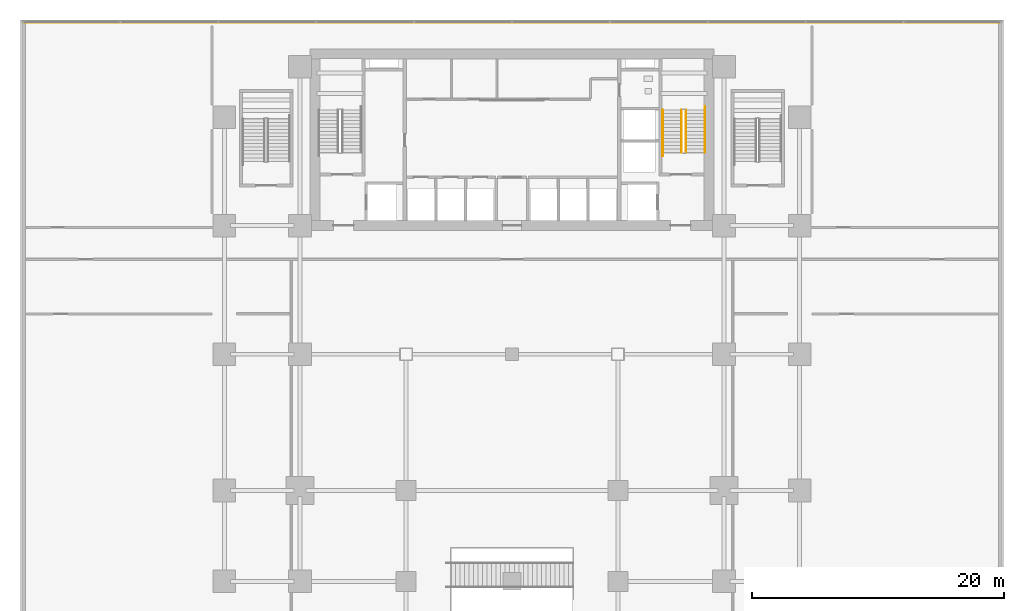
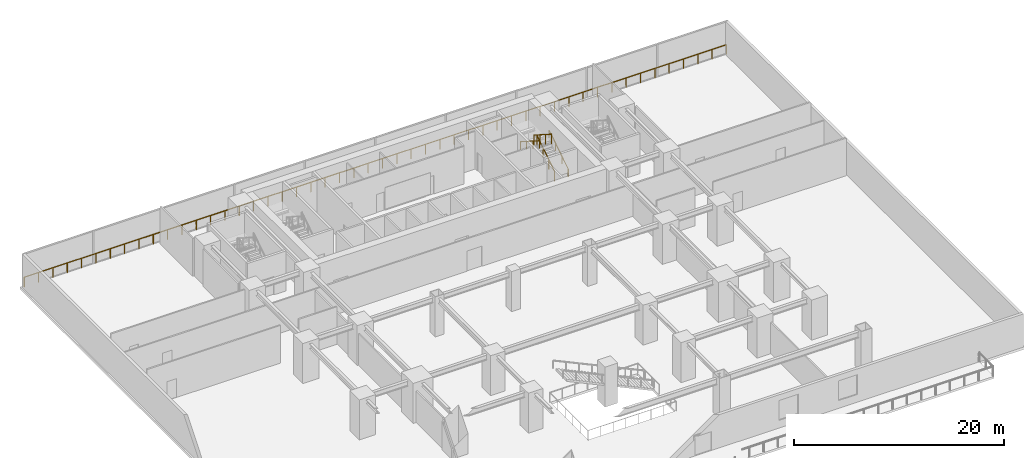
# One storey, part 15 of 17: 5 railings.
"""IFC4 building model written with IfcOpenShell, lengths in metres."""

import ifcopenshell
import ifcopenshell.guid

model = None  # the IFC model being written
_history = None  # IfcOwnerHistory: only IFC2X3 demands one
_inside = {}  # id of a spatial element -> (the spatial element, [elements in it])
_under = {}  # id of a project, library or spatial element -> (it, [spatial elements below it])
_declared = {}  # id of a project -> (the project, [libraries it declares])
_typed = {}  # id of a type object -> (the type object, [elements of that type])
_made_of = {}  # id of a material, layer set ... -> (it, [elements and type objects made of it])


def new_model(schema):
    """Start an empty IFC model of exactly this schema.

    Asked for "IFC4X3", IfcOpenShell would pick the latest addendum, in which some entities
    have other attributes; the version numbers below select the first issue.
    IFC2X3 requires an IfcOwnerHistory on every rooted entity: one is made here for all.
    """
    global model, _history
    if schema == "IFC4X3":
        model = ifcopenshell.file(schema_version=(4, 3, 0, 0))
    else:
        model = ifcopenshell.file(schema=schema)
    _inside.clear()
    _under.clear()
    _declared.clear()
    _typed.clear()
    _made_of.clear()
    _history = None
    if model.schema == "IFC2X3":
        org = make("IfcOrganization", Name="unknown")
        user = make(
            "IfcPersonAndOrganization",
            ThePerson=make("IfcPerson", FamilyName="unknown"),
            TheOrganization=org,
        )
        app = make(
            "IfcApplication",
            ApplicationDeveloper=org,
            Version="unknown",
            ApplicationFullName="unknown",
            ApplicationIdentifier="unknown",
        )
        _history = make(
            "IfcOwnerHistory",
            OwningUser=user,
            OwningApplication=app,
            ChangeAction="ADDED",
            CreationDate=0,
        )
    return model


def make(cls, **values):
    """One entity of the class cls with the attributes given. An attribute that is None is left unset."""
    return model.create_entity(
        cls, **{name: value for name, value in values.items() if value is not None}
    )


def rooted(cls, **values):
    """An entity with a GlobalId (a new one), such as an element, a storey or a relation."""
    return make(cls, GlobalId=ifcopenshell.guid.new(), OwnerHistory=_history, **values)


def si_unit(unit_type, name, prefix=None):
    """IfcSIUnit, for example si_unit("LENGTHUNIT", "METRE", prefix="MILLI")."""
    return make("IfcSIUnit", UnitType=unit_type, Prefix=prefix, Name=name)


def assignment(units):
    """IfcUnitAssignment: the units of a project."""
    return None if units is None else make("IfcUnitAssignment", Units=units)


def point(xyz):
    """IfcCartesianPoint."""
    return None if xyz is None else make("IfcCartesianPoint", Coordinates=xyz)


def direction(xyz):
    """IfcDirection."""
    return None if xyz is None else make("IfcDirection", DirectionRatios=xyz)


def frame(location, z_axis=None, x_axis=None):
    """IfcAxis2Placement3D, a coordinate frame: its origin and axes. An axis left out is left unset."""
    return make(
        "IfcAxis2Placement3D",
        Location=point(location),
        Axis=direction(z_axis),
        RefDirection=direction(x_axis),
    )


def frame_2d(location, x_axis=None):
    """IfcAxis2Placement2D, a coordinate frame in the plane: its origin and x axis."""
    return make(
        "IfcAxis2Placement2D", Location=point(location), RefDirection=direction(x_axis)
    )


def origin():
    """The frame at (0, 0, 0) with its axes left unset."""
    return frame((0.0, 0.0, 0.0))


def origin_2d():
    """The frame at (0, 0) in the plane with its x axis left unset."""
    return frame_2d((0.0, 0.0))


def place(relative_to, where):
    """IfcLocalPlacement: puts the frame where relative to a parent placement (None: the world)."""
    return make(
        "IfcLocalPlacement", PlacementRelTo=relative_to, RelativePlacement=where
    )


def context(
    kind, dimensions, precision=None, world=None, true_north=None, identifier=None
):
    """IfcGeometricRepresentationContext, for example the 3D "Model" context."""
    return make(
        "IfcGeometricRepresentationContext",
        ContextIdentifier=identifier,
        ContextType=kind,
        CoordinateSpaceDimension=dimensions,
        Precision=precision,
        WorldCoordinateSystem=world,
        TrueNorth=true_north,
    )


def subcontext(parent, identifier, kind, view, scale=None):
    """IfcGeometricRepresentationSubContext, for example "Body" below "Model"."""
    return make(
        "IfcGeometricRepresentationSubContext",
        ContextIdentifier=identifier,
        ContextType=kind,
        ParentContext=parent,
        TargetScale=scale,
        TargetView=view,
    )


def project(units=None, contexts=None):
    """IfcProject with its units and contexts."""
    return rooted(
        "IfcProject",
        Name="project",
        RepresentationContexts=contexts,
        UnitsInContext=assignment(units),
    )


def spatial(cls, under=None, at=None, **own):
    """A site, building, storey or space (cls), placed at a placement, below another one or the project."""
    s = rooted(cls, ObjectPlacement=at, **own)
    if under is not None:
        _under.setdefault(under.id(), (under, []))[1].append(s)
    return s


def profile(cls, at=None, kind="AREA", **sizes):
    """A parametric profile (cls). Its sizes go by their IFC names, for example OverallWidth=200.0."""
    return make(cls, ProfileType=kind, Position=at, **sizes)


def rectangle(**sizes):
    """IfcRectangleProfileDef."""
    return profile("IfcRectangleProfileDef", **sizes)


def extrude(swept, where, along, depth):
    """IfcExtrudedAreaSolid: the profile swept, set in the frame where, extruded along a direction by depth."""
    return make(
        "IfcExtrudedAreaSolid",
        SweptArea=swept,
        Position=where,
        ExtrudedDirection=direction(along),
        Depth=depth,
    )


def shape(context_of_items, identifier, shape_type, items):
    """IfcShapeRepresentation: the items that make up one representation, for example the "Body"."""
    return make(
        "IfcShapeRepresentation",
        ContextOfItems=context_of_items,
        RepresentationIdentifier=identifier,
        RepresentationType=shape_type,
        Items=items,
    )


def material(Name=None, Category=None):
    """IfcMaterial."""
    return make("IfcMaterial", Name=Name, Category=Category)


def made_of(thing, what):
    """Note that an element or type object is made of a material, layer set ...; save() writes the relation."""
    if what is not None:
        _made_of.setdefault(what.id(), (what, []))[1].append(thing)
    return thing


def type_object(cls, material=None, **own):
    """A type object (cls), such as IfcWallType, which elements share."""
    return made_of(rooted(cls, **own), material)


def element(
    cls,
    number,
    at=None,
    inside=None,
    cuts=None,
    type_object=None,
    material=None,
    context=None,
    identifier="Body",
    shape_type=None,
    held_by="IfcProductDefinitionShape",
    body=None,
    shapes=None,
    **own,
):
    """One element of the class cls, such as IfcWall. Its Tag is "e" and its number.

    at: its placement. inside: the storey or other place that contains it. cuts: it is an
    opening in that element (IfcRelVoidsElement). A single representation is given by context,
    identifier, shape_type and body (its items); several are given by shapes. held_by: the class
    of the entity that holds the representations. save() writes the other relations.
    """
    e = rooted(cls, Tag="e%d" % number, ObjectPlacement=at, **own)
    if body is not None:
        shapes = [shape(context, identifier, shape_type, body)]
    if shapes is not None:
        e.Representation = make(held_by, Representations=shapes)
    if inside is not None:
        _inside.setdefault(inside.id(), (inside, []))[1].append(e)
    if cuts is not None:
        rooted(
            "IfcRelVoidsElement", RelatingBuildingElement=cuts, RelatedOpeningElement=e
        )
    if type_object is not None:
        _typed.setdefault(type_object.id(), (type_object, []))[1].append(e)
    return made_of(e, material)


def aggregate(whole, parts):
    """IfcRelAggregates: a whole, such as a stair, and the parts it consists of."""
    return rooted("IfcRelAggregates", RelatingObject=whole, RelatedObjects=parts)


def save(model, path):
    """Write the relations noted so far, then the file.

    IfcRelAggregates (storeys below a building ...), IfcRelContainedInSpatialStructure (elements
    in a storey), IfcRelDefinesByType, IfcRelAssociatesMaterial and IfcRelDeclares: one each for
    every whole, place, type object, material and project.
    """
    for whole, parts in _under.values():
        aggregate(whole, parts)
    for where, things in _inside.values():
        rooted(
            "IfcRelContainedInSpatialStructure",
            RelatedElements=things,
            RelatingStructure=where,
        )
    for kind, things in _typed.values():
        rooted("IfcRelDefinesByType", RelatedObjects=things, RelatingType=kind)
    for what, things in _made_of.values():
        rooted("IfcRelAssociatesMaterial", RelatedObjects=things, RelatingMaterial=what)
    for by, libraries in _declared.values():
        rooted("IfcRelDeclares", RelatingContext=by, RelatedDefinitions=libraries)
    model.write(path)


model = new_model("IFC4")

# Units and contexts
model_context = context("Model", 3, precision=1e-05, world=origin(), true_north=direction((0.0, 1.0)))
body_context = subcontext(model_context, "Body", "Model", "MODEL_VIEW")
ifc_project = project(units=[si_unit("LENGTHUNIT", "METRE"), si_unit("AREAUNIT", "SQUARE_METRE"), si_unit("VOLUMEUNIT", "CUBIC_METRE"), si_unit("PLANEANGLEUNIT", "RADIAN"), si_unit("MASSUNIT", "GRAM", prefix="KILO")], contexts=[model_context])

# Site, building, storey
site_placement = place(None, origin())
site = spatial("IfcSite", under=ifc_project, at=site_placement, CompositionType="ELEMENT")
building_placement = place(site_placement, origin())
building = spatial("IfcBuilding", under=site, at=building_placement, Name="Sumidabori Civic Tower", CompositionType="ELEMENT")
storey_placement = place(building_placement, frame((0.0, 0.0, 5.0)))
storey = spatial("IfcBuildingStorey", under=building, at=storey_placement, Name="L01", CompositionType="ELEMENT", Elevation=5.0)

# Railings
ifc_material_1 = material(Name="Anodised Bronze Aluminium AW-6063-T6", Category="aluminium")
railing_type_1 = type_object("IfcRailingType", Name="RL-BAL-1150", PredefinedType="BALUSTRADE", material=ifc_material_1)
railing_1_placement = place(storey_placement, frame((-38.64990234375, 26.300048828125, 0.0)))
element("IfcRailing", 1, at=railing_1_placement, inside=storey, type_object=railing_type_1, Name="Podium North Sill Balustrade L01", PredefinedType="BALUSTRADE", context=body_context, shape_type="SweptSolid", body=[
    extrude(rectangle(XDim=0.048095703125, YDim=0.048095703125, at=origin_2d()), frame((0.0, 0.0, 1.1259765625), z_axis=(1.0, 0.0, 0.0), x_axis=(0.0, 1.0, 0.0)), (0.0, 0.0, 1.0), 77.2998046875),
    extrude(rectangle(XDim=0.0419921875, YDim=0.0419921875, at=origin_2d()), origin(), (0.0, 0.0, 1.0), 1.101806640625),
    extrude(rectangle(XDim=0.0419921875, YDim=0.0419921875, at=origin_2d()), frame((1.57763671875, 0.0, 0.0)), (0.0, 0.0, 1.0), 1.101806640625),
    extrude(rectangle(XDim=0.0419921875, YDim=0.0419921875, at=origin_2d()), frame((3.155029296875, 0.0, 0.0)), (0.0, 0.0, 1.0), 1.101806640625),
    extrude(rectangle(XDim=0.0419921875, YDim=0.0419921875, at=origin_2d()), frame((4.732666015625, 0.0, 0.0)), (0.0, 0.0, 1.0), 1.101806640625),
    extrude(rectangle(XDim=0.0419921875, YDim=0.0419921875, at=origin_2d()), frame((6.310302734375, 0.0, 0.0)), (0.0, 0.0, 1.0), 1.101806640625),
    extrude(rectangle(XDim=0.0419921875, YDim=0.0419921875, at=origin_2d()), frame((7.8876953125, 0.0, 0.0)), (0.0, 0.0, 1.0), 1.101806640625),
    extrude(rectangle(XDim=0.0419921875, YDim=0.0419921875, at=origin_2d()), frame((9.46533203125, 0.0, 0.0)), (0.0, 0.0, 1.0), 1.101806640625),
    extrude(rectangle(XDim=0.0419921875, YDim=0.0419921875, at=origin_2d()), frame((11.042724609375, 0.0, 0.0)), (0.0, 0.0, 1.0), 1.101806640625),
    extrude(rectangle(XDim=0.0419921875, YDim=0.0419921875, at=origin_2d()), frame((12.620361328125, 0.0, 0.0)), (0.0, 0.0, 1.0), 1.101806640625),
    extrude(rectangle(XDim=0.0419921875, YDim=0.0419921875, at=origin_2d()), frame((14.197998046875, 0.0, 0.0)), (0.0, 0.0, 1.0), 1.101806640625),
    extrude(rectangle(XDim=0.0419921875, YDim=0.0419921875, at=origin_2d()), frame((15.775390625, 0.0, 0.0)), (0.0, 0.0, 1.0), 1.101806640625),
    extrude(rectangle(XDim=0.0419921875, YDim=0.0419921875, at=origin_2d()), frame((17.35302734375, 0.0, 0.0)), (0.0, 0.0, 1.0), 1.101806640625),
    extrude(rectangle(XDim=0.0419921875, YDim=0.0419921875, at=origin_2d()), frame((18.9306640625, 0.0, 0.0)), (0.0, 0.0, 1.0), 1.101806640625),
    extrude(rectangle(XDim=0.0419921875, YDim=0.0419921875, at=origin_2d()), frame((20.508056640625, 0.0, 0.0)), (0.0, 0.0, 1.0), 1.101806640625),
    extrude(rectangle(XDim=0.0419921875, YDim=0.0419921875, at=origin_2d()), frame((22.085693359375, 0.0, 0.0)), (0.0, 0.0, 1.0), 1.101806640625),
    extrude(rectangle(XDim=0.0419921875, YDim=0.0419921875, at=origin_2d()), frame((23.6630859375, 0.0, 0.0)), (0.0, 0.0, 1.0), 1.101806640625),
    extrude(rectangle(XDim=0.0419921875, YDim=0.0419921875, at=origin_2d()), frame((25.24072265625, 0.0, 0.0)), (0.0, 0.0, 1.0), 1.101806640625),
    extrude(rectangle(XDim=0.0419921875, YDim=0.0419921875, at=origin_2d()), frame((26.818359375, 0.0, 0.0)), (0.0, 0.0, 1.0), 1.101806640625),
    extrude(rectangle(XDim=0.0419921875, YDim=0.0419921875, at=origin_2d()), frame((28.395751953125, 0.0, 0.0)), (0.0, 0.0, 1.0), 1.101806640625),
    extrude(rectangle(XDim=0.0419921875, YDim=0.0419921875, at=origin_2d()), frame((29.973388671875, 0.0, 0.0)), (0.0, 0.0, 1.0), 1.101806640625),
    extrude(rectangle(XDim=0.0419921875, YDim=0.0419921875, at=origin_2d()), frame((31.551025390625, 0.0, 0.0)), (0.0, 0.0, 1.0), 1.101806640625),
    extrude(rectangle(XDim=0.0419921875, YDim=0.0419921875, at=origin_2d()), frame((33.12841796875, 0.0, 0.0)), (0.0, 0.0, 1.0), 1.101806640625),
    extrude(rectangle(XDim=0.0419921875, YDim=0.0419921875, at=origin_2d()), frame((34.7060546875, 0.0, 0.0)), (0.0, 0.0, 1.0), 1.101806640625),
    extrude(rectangle(XDim=0.0419921875, YDim=0.0419921875, at=origin_2d()), frame((36.28369140625, 0.0, 0.0)), (0.0, 0.0, 1.0), 1.101806640625),
    extrude(rectangle(XDim=0.0419921875, YDim=0.0419921875, at=origin_2d()), frame((37.861083984375, 0.0, 0.0)), (0.0, 0.0, 1.0), 1.101806640625),
    extrude(rectangle(XDim=0.0419921875, YDim=0.0419921875, at=origin_2d()), frame((39.438720703125, 0.0, 0.0)), (0.0, 0.0, 1.0), 1.101806640625),
    extrude(rectangle(XDim=0.0419921875, YDim=0.0419921875, at=origin_2d()), frame((41.01611328125, 0.0, 0.0)), (0.0, 0.0, 1.0), 1.101806640625),
    extrude(rectangle(XDim=0.0419921875, YDim=0.0419921875, at=origin_2d()), frame((42.59375, 0.0, 0.0)), (0.0, 0.0, 1.0), 1.101806640625),
    extrude(rectangle(XDim=0.0419921875, YDim=0.0419921875, at=origin_2d()), frame((44.17138671875, 0.0, 0.0)), (0.0, 0.0, 1.0), 1.101806640625),
    extrude(rectangle(XDim=0.0419921875, YDim=0.0419921875, at=origin_2d()), frame((45.748779296875, 0.0, 0.0)), (0.0, 0.0, 1.0), 1.101806640625),
    extrude(rectangle(XDim=0.0419921875, YDim=0.0419921875, at=origin_2d()), frame((47.326416015625, 0.0, 0.0)), (0.0, 0.0, 1.0), 1.101806640625),
    extrude(rectangle(XDim=0.0419921875, YDim=0.0419921875, at=origin_2d()), frame((48.904052734375, 0.0, 0.0)), (0.0, 0.0, 1.0), 1.101806640625),
    extrude(rectangle(XDim=0.0419921875, YDim=0.0419921875, at=origin_2d()), frame((50.4814453125, 0.0, 0.0)), (0.0, 0.0, 1.0), 1.101806640625),
    extrude(rectangle(XDim=0.0419921875, YDim=0.0419921875, at=origin_2d()), frame((52.05908203125, 0.0, 0.0)), (0.0, 0.0, 1.0), 1.101806640625),
    extrude(rectangle(XDim=0.0419921875, YDim=0.0419921875, at=origin_2d()), frame((53.63671875, 0.0, 0.0)), (0.0, 0.0, 1.0), 1.101806640625),
    extrude(rectangle(XDim=0.0419921875, YDim=0.0419921875, at=origin_2d()), frame((55.214111328125, 0.0, 0.0)), (0.0, 0.0, 1.0), 1.101806640625),
    extrude(rectangle(XDim=0.0419921875, YDim=0.0419921875, at=origin_2d()), frame((56.791748046875, 0.0, 0.0)), (0.0, 0.0, 1.0), 1.101806640625),
    extrude(rectangle(XDim=0.0419921875, YDim=0.0419921875, at=origin_2d()), frame((58.369140625, 0.0, 0.0)), (0.0, 0.0, 1.0), 1.101806640625),
    extrude(rectangle(XDim=0.0419921875, YDim=0.0419921875, at=origin_2d()), frame((59.94677734375, 0.0, 0.0)), (0.0, 0.0, 1.0), 1.101806640625),
    extrude(rectangle(XDim=0.0419921875, YDim=0.0419921875, at=origin_2d()), frame((61.5244140625, 0.0, 0.0)), (0.0, 0.0, 1.0), 1.101806640625),
    extrude(rectangle(XDim=0.0419921875, YDim=0.0419921875, at=origin_2d()), frame((63.101806640625, 0.0, 0.0)), (0.0, 0.0, 1.0), 1.101806640625),
    extrude(rectangle(XDim=0.0419921875, YDim=0.0419921875, at=origin_2d()), frame((64.679443359375, 0.0, 0.0)), (0.0, 0.0, 1.0), 1.101806640625),
    extrude(rectangle(XDim=0.0419921875, YDim=0.0419921875, at=origin_2d()), frame((66.257080078125, 0.0, 0.0)), (0.0, 0.0, 1.0), 1.101806640625),
    extrude(rectangle(XDim=0.0419921875, YDim=0.0419921875, at=origin_2d()), frame((67.83447265625, 0.0, 0.0)), (0.0, 0.0, 1.0), 1.101806640625),
    extrude(rectangle(XDim=0.0419921875, YDim=0.0419921875, at=origin_2d()), frame((69.412109375, 0.0, 0.0)), (0.0, 0.0, 1.0), 1.101806640625),
    extrude(rectangle(XDim=0.0419921875, YDim=0.0419921875, at=origin_2d()), frame((70.989501953125, 0.0, 0.0)), (0.0, 0.0, 1.0), 1.101806640625),
    extrude(rectangle(XDim=0.0419921875, YDim=0.0419921875, at=origin_2d()), frame((72.567138671875, 0.0, 0.0)), (0.0, 0.0, 1.0), 1.101806640625),
    extrude(rectangle(XDim=0.0419921875, YDim=0.0419921875, at=origin_2d()), frame((74.144775390625, 0.0, 0.0)), (0.0, 0.0, 1.0), 1.101806640625),
    extrude(rectangle(XDim=0.0419921875, YDim=0.0419921875, at=origin_2d()), frame((75.72216796875, 0.0, 0.0)), (0.0, 0.0, 1.0), 1.101806640625),
    extrude(rectangle(XDim=0.0419921875, YDim=0.0419921875, at=origin_2d()), frame((77.2998046875, 0.0, 0.0)), (0.0, 0.0, 1.0), 1.101806640625),
])
ifc_material_2 = material(Name="Stainless Steel Hairline Finish", Category="steel")
railing_type_2 = type_object("IfcRailingType", Name="RL-HANDRAIL", PredefinedType="HANDRAIL", material=ifc_material_2)
railing_2_placement = place(storey_placement, frame((15.2900390625, 16.0, 0.178955078125)))
element("IfcRailing", 2, at=railing_2_placement, inside=storey, type_object=railing_type_2, Name="L01 ST-2 stair handrail 1", PredefinedType="HANDRAIL", context=body_context, shape_type="SweptSolid", body=[
    extrude(rectangle(XDim=0.048095703125, YDim=0.048095703125, at=origin_2d()), frame((0.0, 0.0, 0.8759765625), z_axis=(0.0, 0.842367842277, 0.538902976701), x_axis=(-1.0, 0.0, 0.0)), (0.0, 0.0, 1.0), 4.321044921875),
    extrude(rectangle(XDim=0.0419921875, YDim=0.0419921875, at=origin_2d()), origin(), (0.0, 0.0, 1.0), 0.851806640625),
    extrude(rectangle(XDim=0.0419921875, YDim=0.0419921875, at=origin_2d()), frame((0.0, 1.21337890625, 0.776123046875)), (0.0, 0.0, 1.0), 0.851806640625),
    extrude(rectangle(XDim=0.0419921875, YDim=0.0419921875, at=origin_2d()), frame((0.0, 2.426513671875, 1.552490234375)), (0.0, 0.0, 1.0), 0.851806640625),
    extrude(rectangle(XDim=0.0419921875, YDim=0.0419921875, at=origin_2d()), frame((0.0, 3.639892578125, 2.32861328125)), (0.0, 0.0, 1.0), 0.851806640625),
])
railing_3_placement = place(storey_placement, frame((11.949951171875, 19.360107421875, 2.50390625)))
element("IfcRailing", 3, at=railing_3_placement, inside=storey, type_object=railing_type_2, Name="L01 ST-2 stair handrail 2", PredefinedType="HANDRAIL", context=body_context, shape_type="SweptSolid", body=[
    extrude(rectangle(XDim=0.048095703125, YDim=0.048095703125, at=origin_2d()), frame((0.0, 0.0, 0.8759765625), z_axis=(0.0, -0.842384249815, 0.538877328956), x_axis=(1.0, 0.0, 0.0)), (0.0, 0.0, 1.0), 4.3212890625),
    extrude(rectangle(XDim=0.0419921875, YDim=0.0419921875, at=origin_2d()), origin(), (0.0, 0.0, 1.0), 0.851806640625),
    extrude(rectangle(XDim=0.0419921875, YDim=0.0419921875, at=origin_2d()), frame((0.0, -1.21337890625, 0.776123046875)), (0.0, 0.0, 1.0), 0.851806640625),
    extrude(rectangle(XDim=0.0419921875, YDim=0.0419921875, at=origin_2d()), frame((0.0, -2.4267578125, 1.552490234375)), (0.0, 0.0, 1.0), 0.851806640625),
    extrude(rectangle(XDim=0.0419921875, YDim=0.0419921875, at=origin_2d()), frame((0.0, -3.64013671875, 2.32861328125)), (0.0, 0.0, 1.0), 0.851806640625),
])
ifc_material_3 = material(Name="Steel SN490", Category="steel")
railing_type_3 = type_object("IfcRailingType", Name="RL-STAIR-GUARD", PredefinedType="GUARDRAIL", material=ifc_material_3)
railing_4_placement = place(storey_placement, frame((13.7900390625, 16.0, 0.178955078125)))
element("IfcRailing", 4, at=railing_4_placement, inside=storey, type_object=railing_type_3, Name="L01 ST-2 stair guard 1", PredefinedType="GUARDRAIL", context=body_context, shape_type="SweptSolid", body=[
    extrude(rectangle(XDim=0.048095703125, YDim=0.048095703125, at=origin_2d()), frame((0.0, 0.0, 1.1259765625), z_axis=(0.0, 0.842780368268, 0.538257606414), x_axis=(-1.0, 0.0, 0.0)), (0.0, 0.0, 1.0), 3.98681640625),
    extrude(rectangle(XDim=0.0419921875, YDim=0.0419921875, at=origin_2d()), origin(), (0.0, 0.0, 1.0), 1.101806640625),
    extrude(rectangle(XDim=0.0419921875, YDim=0.0419921875, at=origin_2d()), frame((0.0, 1.1201171875, 0.71533203125)), (0.0, 0.0, 1.0), 1.101806640625),
    extrude(rectangle(XDim=0.0419921875, YDim=0.0419921875, at=origin_2d()), frame((0.0, 2.239990234375, 1.4306640625)), (0.0, 0.0, 1.0), 1.101806640625),
    extrude(rectangle(XDim=0.0419921875, YDim=0.0419921875, at=origin_2d()), frame((0.0, 3.360107421875, 2.14599609375)), (0.0, 0.0, 1.0), 1.101806640625),
])
railing_5_placement = place(storey_placement, frame((13.449951171875, 19.360107421875, 2.50390625)))
element("IfcRailing", 5, at=railing_5_placement, inside=storey, type_object=railing_type_3, Name="L01 ST-2 stair guard 3", PredefinedType="GUARDRAIL", context=body_context, shape_type="SweptSolid", body=[
    extrude(rectangle(XDim=0.048095703125, YDim=0.048095703125, at=origin_2d()), frame((0.0, 0.0, 1.1259765625), z_axis=(0.0, -0.842780368268, 0.538257606414), x_axis=(1.0, 0.0, 0.0)), (0.0, 0.0, 1.0), 3.98681640625),
    extrude(rectangle(XDim=0.0419921875, YDim=0.0419921875, at=origin_2d()), origin(), (0.0, 0.0, 1.0), 1.101806640625),
    extrude(rectangle(XDim=0.0419921875, YDim=0.0419921875, at=origin_2d()), frame((0.0, -1.1201171875, 0.71533203125)), (0.0, 0.0, 1.0), 1.101806640625),
    extrude(rectangle(XDim=0.0419921875, YDim=0.0419921875, at=origin_2d()), frame((0.0, -2.239990234375, 1.4306640625)), (0.0, 0.0, 1.0), 1.101806640625),
    extrude(rectangle(XDim=0.0419921875, YDim=0.0419921875, at=origin_2d()), frame((0.0, -3.360107421875, 2.14599609375)), (0.0, 0.0, 1.0), 1.101806640625),
])

save(model, "model.ifc")
